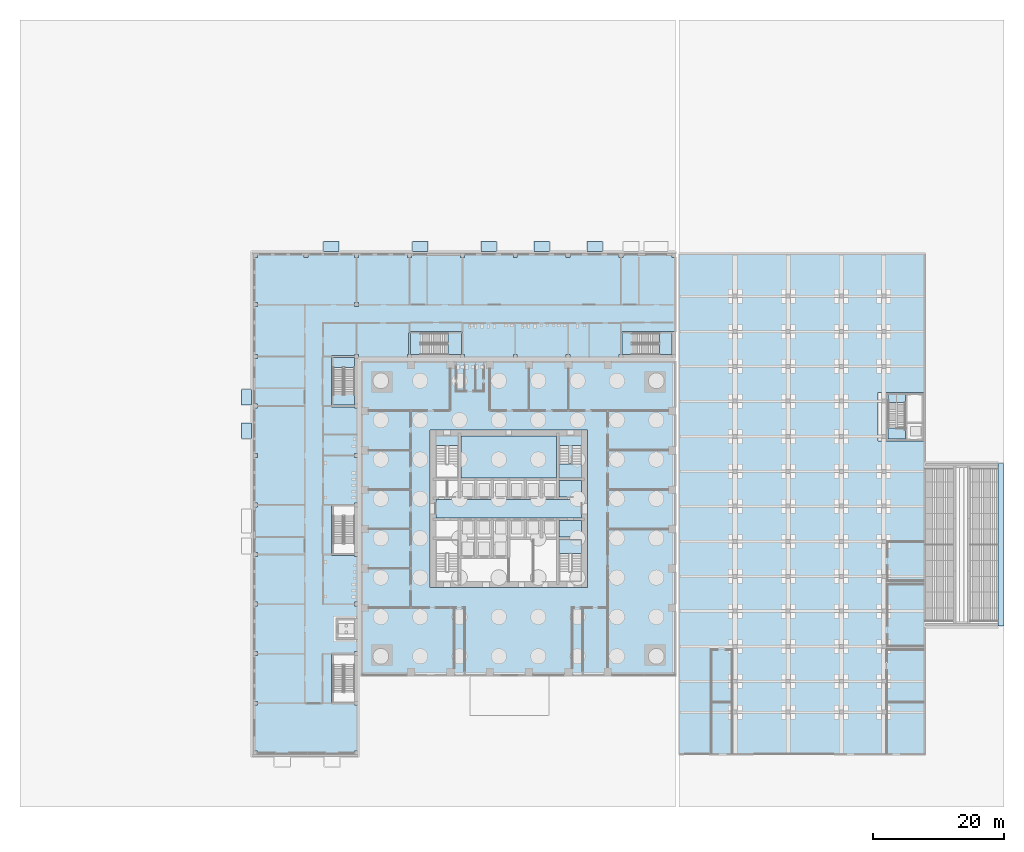
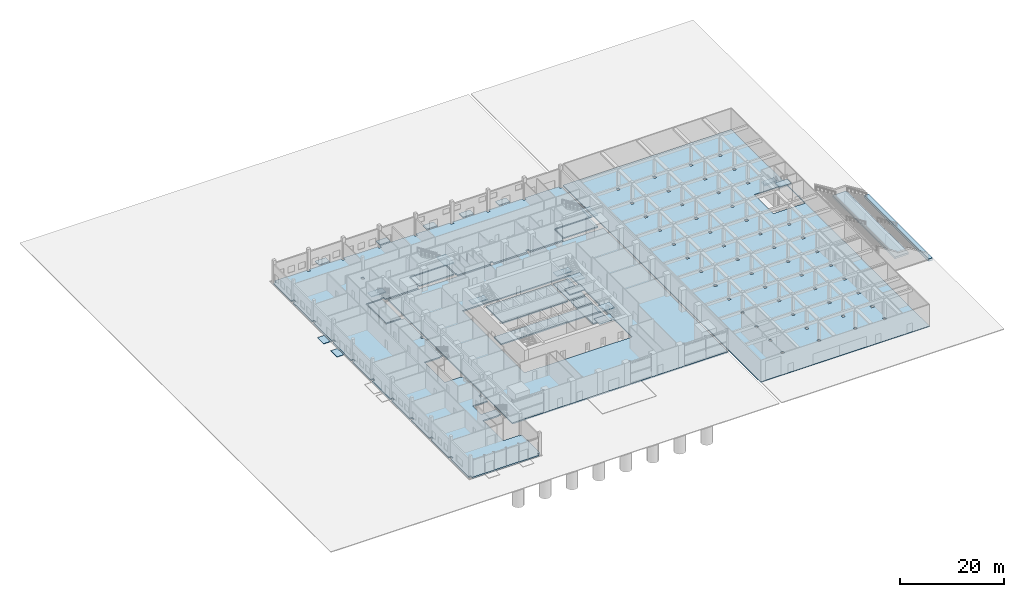
# One storey, part 8 of 33: 31 slabs, 7 elements without a shape of their own.
"""IFC4 building model written with IfcOpenShell, lengths in metres."""

import ifcopenshell
import ifcopenshell.guid

model = None  # the IFC model being written
_history = None  # IfcOwnerHistory: only IFC2X3 demands one
_inside = {}  # id of a spatial element -> (the spatial element, [elements in it])
_under = {}  # id of a project, library or spatial element -> (it, [spatial elements below it])
_declared = {}  # id of a project -> (the project, [libraries it declares])
_typed = {}  # id of a type object -> (the type object, [elements of that type])
_made_of = {}  # id of a material, layer set ... -> (it, [elements and type objects made of it])


def new_model(schema):
    """Start an empty IFC model of exactly this schema.

    Asked for "IFC4X3", IfcOpenShell would pick the latest addendum, in which some entities
    have other attributes; the version numbers below select the first issue.
    IFC2X3 requires an IfcOwnerHistory on every rooted entity: one is made here for all.
    """
    global model, _history
    if schema == "IFC4X3":
        model = ifcopenshell.file(schema_version=(4, 3, 0, 0))
    else:
        model = ifcopenshell.file(schema=schema)
    _inside.clear()
    _under.clear()
    _declared.clear()
    _typed.clear()
    _made_of.clear()
    _history = None
    if model.schema == "IFC2X3":
        org = make("IfcOrganization", Name="unknown")
        user = make(
            "IfcPersonAndOrganization",
            ThePerson=make("IfcPerson", FamilyName="unknown"),
            TheOrganization=org,
        )
        app = make(
            "IfcApplication",
            ApplicationDeveloper=org,
            Version="unknown",
            ApplicationFullName="unknown",
            ApplicationIdentifier="unknown",
        )
        _history = make(
            "IfcOwnerHistory",
            OwningUser=user,
            OwningApplication=app,
            ChangeAction="ADDED",
            CreationDate=0,
        )
    return model


def make(cls, **values):
    """One entity of the class cls with the attributes given. An attribute that is None is left unset."""
    return model.create_entity(
        cls, **{name: value for name, value in values.items() if value is not None}
    )


def rooted(cls, **values):
    """An entity with a GlobalId (a new one), such as an element, a storey or a relation."""
    return make(cls, GlobalId=ifcopenshell.guid.new(), OwnerHistory=_history, **values)


def si_unit(unit_type, name, prefix=None):
    """IfcSIUnit, for example si_unit("LENGTHUNIT", "METRE", prefix="MILLI")."""
    return make("IfcSIUnit", UnitType=unit_type, Prefix=prefix, Name=name)


def assignment(units):
    """IfcUnitAssignment: the units of a project."""
    return None if units is None else make("IfcUnitAssignment", Units=units)


def point(xyz):
    """IfcCartesianPoint."""
    return None if xyz is None else make("IfcCartesianPoint", Coordinates=xyz)


def direction(xyz):
    """IfcDirection."""
    return None if xyz is None else make("IfcDirection", DirectionRatios=xyz)


def frame(location, z_axis=None, x_axis=None):
    """IfcAxis2Placement3D, a coordinate frame: its origin and axes. An axis left out is left unset."""
    return make(
        "IfcAxis2Placement3D",
        Location=point(location),
        Axis=direction(z_axis),
        RefDirection=direction(x_axis),
    )


def origin():
    """The frame at (0, 0, 0) with its axes left unset."""
    return frame((0.0, 0.0, 0.0))


def place(relative_to, where):
    """IfcLocalPlacement: puts the frame where relative to a parent placement (None: the world)."""
    return make(
        "IfcLocalPlacement", PlacementRelTo=relative_to, RelativePlacement=where
    )


def context(
    kind, dimensions, precision=None, world=None, true_north=None, identifier=None
):
    """IfcGeometricRepresentationContext, for example the 3D "Model" context."""
    return make(
        "IfcGeometricRepresentationContext",
        ContextIdentifier=identifier,
        ContextType=kind,
        CoordinateSpaceDimension=dimensions,
        Precision=precision,
        WorldCoordinateSystem=world,
        TrueNorth=true_north,
    )


def subcontext(parent, identifier, kind, view, scale=None):
    """IfcGeometricRepresentationSubContext, for example "Body" below "Model"."""
    return make(
        "IfcGeometricRepresentationSubContext",
        ContextIdentifier=identifier,
        ContextType=kind,
        ParentContext=parent,
        TargetScale=scale,
        TargetView=view,
    )


def project(units=None, contexts=None):
    """IfcProject with its units and contexts."""
    return rooted(
        "IfcProject",
        Name="project",
        RepresentationContexts=contexts,
        UnitsInContext=assignment(units),
    )


def spatial(cls, under=None, at=None, **own):
    """A site, building, storey or space (cls), placed at a placement, below another one or the project."""
    s = rooted(cls, ObjectPlacement=at, **own)
    if under is not None:
        _under.setdefault(under.id(), (under, []))[1].append(s)
    return s


def polyline(points):
    """IfcPolyline through the points."""
    return make("IfcPolyline", Points=[point(p) for p in points])


def outline(outer, holes=None, kind="AREA"):
    """IfcArbitraryClosedProfileDef: a profile drawn as a closed curve; with holes, ...WithVoids."""
    if holes is None:
        return make("IfcArbitraryClosedProfileDef", ProfileType=kind, OuterCurve=outer)
    return make(
        "IfcArbitraryProfileDefWithVoids",
        ProfileType=kind,
        OuterCurve=outer,
        InnerCurves=holes,
    )


def extrude(swept, where, along, depth):
    """IfcExtrudedAreaSolid: the profile swept, set in the frame where, extruded along a direction by depth."""
    return make(
        "IfcExtrudedAreaSolid",
        SweptArea=swept,
        Position=where,
        ExtrudedDirection=direction(along),
        Depth=depth,
    )


def shape(context_of_items, identifier, shape_type, items):
    """IfcShapeRepresentation: the items that make up one representation, for example the "Body"."""
    return make(
        "IfcShapeRepresentation",
        ContextOfItems=context_of_items,
        RepresentationIdentifier=identifier,
        RepresentationType=shape_type,
        Items=items,
    )


def material(Name=None, Category=None):
    """IfcMaterial."""
    return make("IfcMaterial", Name=Name, Category=Category)


def layer(
    of_material, thickness, ventilated=None, Name=None, Category=None, Priority=None
):
    """IfcMaterialLayer: one layer of a wall or slab, of a material (None: an air gap)."""
    return make(
        "IfcMaterialLayer",
        Material=of_material,
        LayerThickness=thickness,
        IsVentilated=ventilated,
        Name=Name,
        Category=Category,
        Priority=Priority,
    )


def layer_set(layers, Name=None):
    """IfcMaterialLayerSet."""
    return make("IfcMaterialLayerSet", MaterialLayers=layers, LayerSetName=Name)


def made_of(thing, what):
    """Note that an element or type object is made of a material, layer set ...; save() writes the relation."""
    if what is not None:
        _made_of.setdefault(what.id(), (what, []))[1].append(thing)
    return thing


def type_object(cls, material=None, **own):
    """A type object (cls), such as IfcWallType, which elements share."""
    return made_of(rooted(cls, **own), material)


def element(
    cls,
    number,
    at=None,
    inside=None,
    cuts=None,
    type_object=None,
    material=None,
    context=None,
    identifier="Body",
    shape_type=None,
    held_by="IfcProductDefinitionShape",
    body=None,
    shapes=None,
    **own,
):
    """One element of the class cls, such as IfcWall. Its Tag is "e" and its number.

    at: its placement. inside: the storey or other place that contains it. cuts: it is an
    opening in that element (IfcRelVoidsElement). A single representation is given by context,
    identifier, shape_type and body (its items); several are given by shapes. held_by: the class
    of the entity that holds the representations. save() writes the other relations.
    """
    e = rooted(cls, Tag="e%d" % number, ObjectPlacement=at, **own)
    if body is not None:
        shapes = [shape(context, identifier, shape_type, body)]
    if shapes is not None:
        e.Representation = make(held_by, Representations=shapes)
    if inside is not None:
        _inside.setdefault(inside.id(), (inside, []))[1].append(e)
    if cuts is not None:
        rooted(
            "IfcRelVoidsElement", RelatingBuildingElement=cuts, RelatedOpeningElement=e
        )
    if type_object is not None:
        _typed.setdefault(type_object.id(), (type_object, []))[1].append(e)
    return made_of(e, material)


def aggregate(whole, parts):
    """IfcRelAggregates: a whole, such as a stair, and the parts it consists of."""
    return rooted("IfcRelAggregates", RelatingObject=whole, RelatedObjects=parts)


def save(model, path):
    """Write the relations noted so far, then the file.

    IfcRelAggregates (storeys below a building ...), IfcRelContainedInSpatialStructure (elements
    in a storey), IfcRelDefinesByType, IfcRelAssociatesMaterial and IfcRelDeclares: one each for
    every whole, place, type object, material and project.
    """
    for whole, parts in _under.values():
        aggregate(whole, parts)
    for where, things in _inside.values():
        rooted(
            "IfcRelContainedInSpatialStructure",
            RelatedElements=things,
            RelatingStructure=where,
        )
    for kind, things in _typed.values():
        rooted("IfcRelDefinesByType", RelatedObjects=things, RelatingType=kind)
    for what, things in _made_of.values():
        rooted("IfcRelAssociatesMaterial", RelatedObjects=things, RelatingMaterial=what)
    for by, libraries in _declared.values():
        rooted("IfcRelDeclares", RelatingContext=by, RelatedDefinitions=libraries)
    model.write(path)


model = new_model("IFC4")

# Units and contexts
model_context = context("Model", 3, precision=1e-05, world=origin(), true_north=direction((0.0, 1.0)))
body_context = subcontext(model_context, "Body", "Model", "MODEL_VIEW")
ifc_project = project(units=[si_unit("LENGTHUNIT", "METRE"), si_unit("AREAUNIT", "SQUARE_METRE"), si_unit("VOLUMEUNIT", "CUBIC_METRE"), si_unit("PLANEANGLEUNIT", "RADIAN"), si_unit("MASSUNIT", "GRAM", prefix="KILO")], contexts=[model_context])

# Site, building, storey
site_placement = place(None, origin())
site = spatial("IfcSite", under=ifc_project, at=site_placement, CompositionType="ELEMENT")
building_placement = place(site_placement, origin())
building = spatial("IfcBuilding", under=site, at=building_placement, Name="Amberfall Residences", CompositionType="ELEMENT")
storey_placement = place(building_placement, origin())
storey = spatial("IfcBuildingStorey", under=building, at=storey_placement, Name="L00", CompositionType="ELEMENT", Elevation=0.0)

# Slab
ifc_material_1 = material(Name="Reinforced concrete C35", Category="concrete")
ifc_layer_1 = layer(ifc_material_1, 0.199951171875)
ifc_layer_set_1 = layer_set([ifc_layer_1], Name="Car park ground slab 200")
slab_type_1 = type_object("IfcSlabType", Name="Car park ground slab 200", PredefinedType="BASESLAB", material=ifc_layer_set_1)
slab_1_placement = place(storey_placement, frame((0.0, 0.0, -0.199951171875)))
element("IfcSlab", 1, at=slab_1_placement, inside=storey, type_object=slab_type_1, Name="Car park ground slab 200 L00 001", PredefinedType="BASESLAB", context=body_context, shape_type="SweptSolid", body=[
    extrude(outline(polyline([(100.39990234375, 8.0), (138.0, 8.0), (138.0, 84.39990234375), (100.39990234375, 84.39990234375), (100.39990234375, 8.0)]), holes=[polyline([(130.800048828125, 55.800048828125), (137.89990234375, 55.800048828125), (137.89990234375, 63.199951171875), (130.800048828125, 63.199951171875), (130.800048828125, 55.800048828125)]), polyline([(108.699951171875, 14.199951171875), (109.300048828125, 14.199951171875), (109.300048828125, 14.800048828125), (108.699951171875, 14.800048828125), (108.699951171875, 14.199951171875)]), polyline([(108.699951171875, 18.89990234375), (109.300048828125, 18.89990234375), (109.300048828125, 19.5), (108.699951171875, 19.5), (108.699951171875, 18.89990234375)]), polyline([(108.699951171875, 24.199951171875), (109.300048828125, 24.199951171875), (109.300048828125, 24.800048828125), (108.699951171875, 24.800048828125), (108.699951171875, 24.199951171875)]), polyline([(108.699951171875, 29.60009765625), (109.300048828125, 29.60009765625), (109.300048828125, 30.199951171875), (108.699951171875, 30.199951171875), (108.699951171875, 29.60009765625)]), polyline([(108.699951171875, 34.89990234375), (109.300048828125, 34.89990234375), (109.300048828125, 35.5), (108.699951171875, 35.5), (108.699951171875, 34.89990234375)]), polyline([(108.699951171875, 40.199951171875), (109.300048828125, 40.199951171875), (109.300048828125, 40.800048828125), (108.699951171875, 40.800048828125), (108.699951171875, 40.199951171875)]), polyline([(108.699951171875, 45.60009765625), (109.300048828125, 45.60009765625), (109.300048828125, 46.199951171875), (108.699951171875, 46.199951171875), (108.699951171875, 45.60009765625)]), polyline([(108.699951171875, 50.89990234375), (109.300048828125, 50.89990234375), (109.300048828125, 51.5), (108.699951171875, 51.5), (108.699951171875, 50.89990234375)]), polyline([(108.699951171875, 56.199951171875), (109.300048828125, 56.199951171875), (109.300048828125, 56.800048828125), (108.699951171875, 56.800048828125), (108.699951171875, 56.199951171875)]), polyline([(108.699951171875, 61.60009765625), (109.300048828125, 61.60009765625), (109.300048828125, 62.199951171875), (108.699951171875, 62.199951171875), (108.699951171875, 61.60009765625)]), polyline([(108.699951171875, 66.89990234375), (109.300048828125, 66.89990234375), (109.300048828125, 67.5), (108.699951171875, 67.5), (108.699951171875, 66.89990234375)]), polyline([(108.699951171875, 72.199951171875), (109.300048828125, 72.199951171875), (109.300048828125, 72.800048828125), (108.699951171875, 72.800048828125), (108.699951171875, 72.199951171875)]), polyline([(108.699951171875, 77.60009765625), (109.300048828125, 77.60009765625), (109.300048828125, 78.199951171875), (108.699951171875, 78.199951171875), (108.699951171875, 77.60009765625)]), polyline([(116.800048828125, 14.199951171875), (117.39990234375, 14.199951171875), (117.39990234375, 14.800048828125), (116.800048828125, 14.800048828125), (116.800048828125, 14.199951171875)]), polyline([(116.800048828125, 18.89990234375), (117.39990234375, 18.89990234375), (117.39990234375, 19.5), (116.800048828125, 19.5), (116.800048828125, 18.89990234375)]), polyline([(116.800048828125, 24.199951171875), (117.39990234375, 24.199951171875), (117.39990234375, 24.800048828125), (116.800048828125, 24.800048828125), (116.800048828125, 24.199951171875)]), polyline([(116.800048828125, 29.60009765625), (117.39990234375, 29.60009765625), (117.39990234375, 30.199951171875), (116.800048828125, 30.199951171875), (116.800048828125, 29.60009765625)]), polyline([(116.800048828125, 34.89990234375), (117.39990234375, 34.89990234375), (117.39990234375, 35.5), (116.800048828125, 35.5), (116.800048828125, 34.89990234375)]), polyline([(116.800048828125, 40.199951171875), (117.39990234375, 40.199951171875), (117.39990234375, 40.800048828125), (116.800048828125, 40.800048828125), (116.800048828125, 40.199951171875)]), polyline([(116.800048828125, 45.60009765625), (117.39990234375, 45.60009765625), (117.39990234375, 46.199951171875), (116.800048828125, 46.199951171875), (116.800048828125, 45.60009765625)]), polyline([(116.800048828125, 50.89990234375), (117.39990234375, 50.89990234375), (117.39990234375, 51.5), (116.800048828125, 51.5), (116.800048828125, 50.89990234375)]), polyline([(116.800048828125, 56.199951171875), (117.39990234375, 56.199951171875), (117.39990234375, 56.800048828125), (116.800048828125, 56.800048828125), (116.800048828125, 56.199951171875)]), polyline([(116.800048828125, 61.60009765625), (117.39990234375, 61.60009765625), (117.39990234375, 62.199951171875), (116.800048828125, 62.199951171875), (116.800048828125, 61.60009765625)]), polyline([(116.800048828125, 66.89990234375), (117.39990234375, 66.89990234375), (117.39990234375, 67.5), (116.800048828125, 67.5), (116.800048828125, 66.89990234375)]), polyline([(116.800048828125, 72.199951171875), (117.39990234375, 72.199951171875), (117.39990234375, 72.800048828125), (116.800048828125, 72.800048828125), (116.800048828125, 72.199951171875)]), polyline([(116.800048828125, 77.60009765625), (117.39990234375, 77.60009765625), (117.39990234375, 78.199951171875), (116.800048828125, 78.199951171875), (116.800048828125, 77.60009765625)]), polyline([(124.89990234375, 14.199951171875), (125.5, 14.199951171875), (125.5, 14.800048828125), (124.89990234375, 14.800048828125), (124.89990234375, 14.199951171875)]), polyline([(124.89990234375, 18.89990234375), (125.5, 18.89990234375), (125.5, 19.5), (124.89990234375, 19.5), (124.89990234375, 18.89990234375)]), polyline([(124.89990234375, 24.199951171875), (125.5, 24.199951171875), (125.5, 24.800048828125), (124.89990234375, 24.800048828125), (124.89990234375, 24.199951171875)]), polyline([(124.89990234375, 29.60009765625), (125.5, 29.60009765625), (125.5, 30.199951171875), (124.89990234375, 30.199951171875), (124.89990234375, 29.60009765625)]), polyline([(124.89990234375, 34.89990234375), (125.5, 34.89990234375), (125.5, 35.5), (124.89990234375, 35.5), (124.89990234375, 34.89990234375)]), polyline([(124.89990234375, 40.199951171875), (125.5, 40.199951171875), (125.5, 40.800048828125), (124.89990234375, 40.800048828125), (124.89990234375, 40.199951171875)]), polyline([(124.89990234375, 45.60009765625), (125.5, 45.60009765625), (125.5, 46.199951171875), (124.89990234375, 46.199951171875), (124.89990234375, 45.60009765625)]), polyline([(124.89990234375, 50.89990234375), (125.5, 50.89990234375), (125.5, 51.5), (124.89990234375, 51.5), (124.89990234375, 50.89990234375)]), polyline([(124.89990234375, 56.199951171875), (125.5, 56.199951171875), (125.5, 56.800048828125), (124.89990234375, 56.800048828125), (124.89990234375, 56.199951171875)]), polyline([(124.89990234375, 61.60009765625), (125.5, 61.60009765625), (125.5, 62.199951171875), (124.89990234375, 62.199951171875), (124.89990234375, 61.60009765625)]), polyline([(124.89990234375, 66.89990234375), (125.5, 66.89990234375), (125.5, 67.5), (124.89990234375, 67.5), (124.89990234375, 66.89990234375)]), polyline([(124.89990234375, 72.199951171875), (125.5, 72.199951171875), (125.5, 72.800048828125), (124.89990234375, 72.800048828125), (124.89990234375, 72.199951171875)]), polyline([(124.89990234375, 77.60009765625), (125.5, 77.60009765625), (125.5, 78.199951171875), (124.89990234375, 78.199951171875), (124.89990234375, 77.60009765625)]), polyline([(131.39990234375, 14.199951171875), (132.0, 14.199951171875), (132.0, 14.800048828125), (131.39990234375, 14.800048828125), (131.39990234375, 14.199951171875)]), polyline([(131.39990234375, 18.89990234375), (132.0, 18.89990234375), (132.0, 19.5), (131.39990234375, 19.5), (131.39990234375, 18.89990234375)]), polyline([(131.39990234375, 24.199951171875), (132.0, 24.199951171875), (132.0, 24.800048828125), (131.39990234375, 24.800048828125), (131.39990234375, 24.199951171875)]), polyline([(131.39990234375, 29.60009765625), (132.0, 29.60009765625), (132.0, 30.199951171875), (131.39990234375, 30.199951171875), (131.39990234375, 29.60009765625)]), polyline([(131.39990234375, 34.89990234375), (132.0, 34.89990234375), (132.0, 35.5), (131.39990234375, 35.5), (131.39990234375, 34.89990234375)]), polyline([(131.39990234375, 40.199951171875), (132.0, 40.199951171875), (132.0, 40.800048828125), (131.39990234375, 40.800048828125), (131.39990234375, 40.199951171875)]), polyline([(131.39990234375, 45.60009765625), (132.0, 45.60009765625), (132.0, 46.199951171875), (131.39990234375, 46.199951171875), (131.39990234375, 45.60009765625)]), polyline([(131.39990234375, 50.89990234375), (132.0, 50.89990234375), (132.0, 51.5), (131.39990234375, 51.5), (131.39990234375, 50.89990234375)]), polyline([(131.39990234375, 66.89990234375), (132.0, 66.89990234375), (132.0, 67.5), (131.39990234375, 67.5), (131.39990234375, 66.89990234375)]), polyline([(131.39990234375, 72.199951171875), (132.0, 72.199951171875), (132.0, 72.800048828125), (131.39990234375, 72.800048828125), (131.39990234375, 72.199951171875)]), polyline([(131.39990234375, 77.60009765625), (132.0, 77.60009765625), (132.0, 78.199951171875), (131.39990234375, 78.199951171875), (131.39990234375, 77.60009765625)])]), origin(), (0.0, 0.0, 1.0), 0.199951171875),
])

# Stair, slabs
ifc_material_2 = material(Name="Reinforced concrete C40", Category="concrete")
stair_type_1 = type_object("IfcStairType", Name="Core stair 1200", PredefinedType="HALF_TURN_STAIR", material=ifc_material_2)
stair_1_placement = place(storey_placement, origin())
stair_1 = element("IfcStair", 2, at=stair_1_placement, inside=storey, type_object=stair_type_1, Name="Garden core stair", PredefinedType="HALF_TURN_STAIR")
ifc_layer_2 = layer(ifc_material_2, 0.419921875)
ifc_layer_set_2 = layer_set([ifc_layer_2], Name="Core stair landing 420")
slab_type_2 = type_object("IfcSlabType", Name="Core stair landing 420", PredefinedType="LANDING", material=ifc_layer_set_2)
slab_2_placement = place(storey_placement, frame((0.0, 0.0, 2.330078125)))
slab_2 = element("IfcSlab", 3, at=slab_2_placement, type_object=slab_type_2, Name="GST2 landing 1", PredefinedType="LANDING", context=body_context, shape_type="SweptSolid", body=[
    extrude(outline(polyline([(132.300048828125, 61.699951171875), (135.0, 61.699951171875), (135.0, 62.89990234375), (132.300048828125, 62.89990234375), (132.300048828125, 61.699951171875)])), origin(), (0.0, 0.0, 1.0), 0.419921875),
])
slab_3_placement = place(storey_placement, frame((0.0, 0.0, 5.080078125)))
slab_3 = element("IfcSlab", 4, at=slab_3_placement, type_object=slab_type_2, Name="GST2 landing 2", PredefinedType="LANDING", context=body_context, shape_type="SweptSolid", body=[
    extrude(outline(polyline([(132.300048828125, 56.10009765625), (135.0, 56.10009765625), (135.0, 57.800048828125), (132.300048828125, 57.800048828125), (132.300048828125, 56.10009765625)])), origin(), (0.0, 0.0, 1.0), 0.419921875),
])
aggregate(stair_1, [slab_2, slab_3])

# Slabs
ifc_layer_3 = layer(ifc_material_2, 0.419921875)
ifc_layer_set_3 = layer_set([ifc_layer_3], Name="Deck stair terrace slab 420")
slab_type_3 = type_object("IfcSlabType", Name="Deck stair terrace slab 420", PredefinedType="FLOOR", material=ifc_layer_set_3)
slab_4_placement = place(storey_placement, frame((0.0, 0.0, 2.330078125)))
element("IfcSlab", 5, at=slab_4_placement, inside=storey, type_object=slab_type_3, Name="Deck stair terrace", PredefinedType="FLOOR", context=body_context, shape_type="SweptSolid", body=[
    extrude(outline(polyline([(144.89990234375, 28.0), (141.800048828125, 28.0), (141.800048828125, 52.0), (144.89990234375, 52.0), (144.89990234375, 28.0)])), origin(), (0.0, 0.0, 1.0), 0.419921875),
])
ifc_material_3 = material(Name="Concrete C45", Category="concrete")
ifc_layer_4 = layer(ifc_material_3, 0.300048828125)
ifc_layer_set_4 = layer_set([ifc_layer_4], Name="Ground slab 300 C45")
slab_type_4 = type_object("IfcSlabType", Name="Ground slab 300 C45", PredefinedType="BASESLAB", material=ifc_layer_set_4)
slab_5_placement = place(storey_placement, frame((0.0, 0.0, -0.300048828125)))
element("IfcSlab", 6, at=slab_5_placement, inside=storey, type_object=slab_type_4, Name="Floor slab S1 L00 1", PredefinedType="BASESLAB", context=body_context, shape_type="SweptSolid", body=[
    extrude(outline(polyline([(100.0, 68.0), (100.0, 20.0), (52.0, 20.0), (52.0, 68.0), (100.0, 68.0)]), holes=[polyline([(62.5, 33.5), (63.39990234375, 33.5), (85.60009765625, 33.5), (86.5, 33.5), (86.5, 34.39990234375), (86.5, 56.60009765625), (86.5, 57.5), (85.60009765625, 57.5), (63.39990234375, 57.5), (62.5, 57.5), (62.5, 56.60009765625), (62.5, 34.39990234375), (62.5, 33.5)])]), origin(), (0.0, 0.0, 1.0), 0.300048828125),
])
slab_6_placement = place(storey_placement, frame((0.0, 0.0, -0.300048828125)))
element("IfcSlab", 7, at=slab_6_placement, inside=storey, type_object=slab_type_4, Name="Floor slab S1 L00 6", PredefinedType="BASESLAB", context=body_context, shape_type="SweptSolid", body=[
    extrude(outline(polyline([(82.199951171875, 41.199951171875), (82.199951171875, 43.699951171875), (85.60009765625, 43.699951171875), (85.60009765625, 41.199951171875), (82.199951171875, 41.199951171875)])), origin(), (0.0, 0.0, 1.0), 0.300048828125),
])
slab_7_placement = place(storey_placement, frame((0.0, 0.0, -0.300048828125)))
element("IfcSlab", 8, at=slab_7_placement, inside=storey, type_object=slab_type_4, Name="Floor slab S1 L00 7", PredefinedType="BASESLAB", context=body_context, shape_type="SweptSolid", body=[
    extrude(outline(polyline([(85.60009765625, 46.89990234375), (85.60009765625, 44.10009765625), (63.39990234375, 44.10009765625), (63.39990234375, 46.89990234375), (85.60009765625, 46.89990234375)])), origin(), (0.0, 0.0, 1.0), 0.300048828125),
])
slab_8_placement = place(storey_placement, frame((0.0, 0.0, -0.300048828125)))
element("IfcSlab", 9, at=slab_8_placement, inside=storey, type_object=slab_type_4, Name="Floor slab S1 L00 9", PredefinedType="BASESLAB", context=body_context, shape_type="SweptSolid", body=[
    extrude(outline(polyline([(85.60009765625, 47.300048828125), (82.199951171875, 47.300048828125), (82.199951171875, 49.800048828125), (85.60009765625, 49.800048828125), (85.60009765625, 47.300048828125)])), origin(), (0.0, 0.0, 1.0), 0.300048828125),
])
slab_9_placement = place(storey_placement, frame((0.0, 0.0, -0.300048828125)))
element("IfcSlab", 10, at=slab_9_placement, inside=storey, type_object=slab_type_4, Name="Floor slab S1 L00 11", PredefinedType="BASESLAB", context=body_context, shape_type="SweptSolid", body=[
    extrude(outline(polyline([(81.800048828125, 56.60009765625), (81.800048828125, 50.199951171875), (67.199951171875, 50.199951171875), (67.199951171875, 56.60009765625), (81.800048828125, 56.60009765625)])), origin(), (0.0, 0.0, 1.0), 0.300048828125),
])
slab_10_placement = place(storey_placement, frame((0.0, 0.0, -0.300048828125)))
element("IfcSlab", 11, at=slab_10_placement, inside=storey, type_object=slab_type_4, Name="Floor slab S1 L00 12", PredefinedType="BASESLAB", context=body_context, shape_type="SweptSolid", body=[
    extrude(outline(polyline([(85.60009765625, 56.60009765625), (85.60009765625, 50.199951171875), (82.199951171875, 50.199951171875), (82.199951171875, 56.60009765625), (85.60009765625, 56.60009765625)])), origin(), (0.0, 0.0, 1.0), 0.300048828125),
])
ifc_material_4 = material(Name="Concrete C30", Category="concrete")
ifc_layer_5 = layer(ifc_material_4, 0.199951171875)
ifc_layer_set_5 = layer_set([ifc_layer_5], Name="School door landing 200")
slab_type_5 = type_object("IfcSlabType", Name="School door landing 200", PredefinedType="BASESLAB", material=ifc_layer_set_5)
slab_11_placement = place(storey_placement, frame((0.0, 0.0, -0.199951171875)))
element("IfcSlab", 12, at=slab_11_placement, inside=storey, type_object=slab_type_5, Name="School door landing", PredefinedType="BASESLAB", context=body_context, shape_type="SweptSolid", body=[
    extrude(outline(polyline([(46.25, 84.699951171875), (48.64990234375, 84.699951171875), (48.64990234375, 86.199951171875), (46.25, 86.199951171875), (46.25, 84.699951171875)])), origin(), (0.0, 0.0, 1.0), 0.199951171875),
])
slab_12_placement = place(storey_placement, frame((0.0, 0.0, -0.199951171875)))
element("IfcSlab", 13, at=slab_12_placement, inside=storey, type_object=slab_type_5, Name="School door landing", PredefinedType="BASESLAB", context=body_context, shape_type="SweptSolid", body=[
    extrude(outline(polyline([(59.81689453125, 84.699951171875), (62.217041015625, 84.699951171875), (62.217041015625, 86.199951171875), (59.81689453125, 86.199951171875), (59.81689453125, 84.699951171875)])), origin(), (0.0, 0.0, 1.0), 0.199951171875),
])
slab_13_placement = place(storey_placement, frame((0.0, 0.0, -0.199951171875)))
element("IfcSlab", 14, at=slab_13_placement, inside=storey, type_object=slab_type_5, Name="School door landing", PredefinedType="BASESLAB", context=body_context, shape_type="SweptSolid", body=[
    extrude(outline(polyline([(70.2666015625, 84.699951171875), (72.66650390625, 84.699951171875), (72.66650390625, 86.199951171875), (70.2666015625, 86.199951171875), (70.2666015625, 84.699951171875)])), origin(), (0.0, 0.0, 1.0), 0.199951171875),
])
slab_14_placement = place(storey_placement, frame((0.0, 0.0, -0.199951171875)))
element("IfcSlab", 15, at=slab_14_placement, inside=storey, type_object=slab_type_5, Name="School door landing", PredefinedType="BASESLAB", context=body_context, shape_type="SweptSolid", body=[
    extrude(outline(polyline([(78.33349609375, 84.699951171875), (80.7333984375, 84.699951171875), (80.7333984375, 86.199951171875), (78.33349609375, 86.199951171875), (78.33349609375, 84.699951171875)])), origin(), (0.0, 0.0, 1.0), 0.199951171875),
])
slab_15_placement = place(storey_placement, frame((0.0, 0.0, -0.199951171875)))
element("IfcSlab", 16, at=slab_15_placement, inside=storey, type_object=slab_type_5, Name="School door landing", PredefinedType="BASESLAB", context=body_context, shape_type="SweptSolid", body=[
    extrude(outline(polyline([(86.39990234375, 84.699951171875), (88.800048828125, 84.699951171875), (88.800048828125, 86.199951171875), (86.39990234375, 86.199951171875), (86.39990234375, 84.699951171875)])), origin(), (0.0, 0.0, 1.0), 0.199951171875),
])
slab_16_placement = place(storey_placement, frame((0.0, 0.0, -0.199951171875)))
element("IfcSlab", 17, at=slab_16_placement, inside=storey, type_object=slab_type_5, Name="School door landing", PredefinedType="BASESLAB", context=body_context, shape_type="SweptSolid", body=[
    extrude(outline(polyline([(33.800048828125, 56.175048828125), (35.300048828125, 56.175048828125), (35.300048828125, 58.574951171875), (33.800048828125, 58.574951171875), (33.800048828125, 56.175048828125)])), origin(), (0.0, 0.0, 1.0), 0.199951171875),
])
slab_17_placement = place(storey_placement, frame((0.0, 0.0, -0.199951171875)))
element("IfcSlab", 18, at=slab_17_placement, inside=storey, type_object=slab_type_5, Name="School door landing", PredefinedType="BASESLAB", context=body_context, shape_type="SweptSolid", body=[
    extrude(outline(polyline([(33.800048828125, 61.300048828125), (35.300048828125, 61.300048828125), (35.300048828125, 63.699951171875), (33.800048828125, 63.699951171875), (33.800048828125, 61.300048828125)])), origin(), (0.0, 0.0, 1.0), 0.199951171875),
])
ifc_layer_6 = layer(ifc_material_4, 0.300048828125)
ifc_layer_set_6 = layer_set([ifc_layer_6], Name="School ground slab 300 C30")
slab_type_6 = type_object("IfcSlabType", Name="School ground slab 300 C30", PredefinedType="BASESLAB", material=ifc_layer_set_6)
slab_18_placement = place(storey_placement, frame((0.0, 0.0, -0.300048828125)))
element("IfcSlab", 19, at=slab_18_placement, inside=storey, type_object=slab_type_6, Name="School ground slab", PredefinedType="BASESLAB", context=body_context, shape_type="SweptSolid", body=[
    extrude(outline(polyline([(36.199951171875, 8.60009765625), (36.199951171875, 8.0), (51.0, 8.0), (51.0, 8.60009765625), (51.60009765625, 8.60009765625), (51.60009765625, 15.550048828125), (51.0, 15.550048828125), (51.0, 15.72509765625), (47.5, 15.72509765625), (47.5, 15.97509765625), (47.5, 23.27490234375), (47.5, 23.52490234375), (51.0, 23.52490234375), (51.0, 23.699951171875), (51.60009765625, 23.699951171875), (51.60009765625, 25.550048828125), (51.0, 25.550048828125), (48.199951171875, 25.550048828125), (48.199951171875, 25.675048828125), (48.199951171875, 25.800048828125), (48.199951171875, 28.550048828125), (48.199951171875, 28.675048828125), (48.199951171875, 28.800048828125), (51.0, 28.800048828125), (51.60009765625, 28.800048828125), (51.60009765625, 30.64990234375), (51.0, 30.64990234375), (51.0, 31.25), (51.60009765625, 31.25), (51.60009765625, 38.199951171875), (51.0, 38.199951171875), (51.0, 38.375), (47.5, 38.375), (47.5, 38.625), (47.5, 45.925048828125), (47.5, 46.175048828125), (51.0, 46.175048828125), (51.0, 46.35009765625), (51.60009765625, 46.35009765625), (51.60009765625, 53.300048828125), (51.0, 53.300048828125), (51.0, 53.89990234375), (51.60009765625, 53.89990234375), (51.60009765625, 60.85009765625), (51.0, 60.85009765625), (51.0, 61.02490234375), (47.5, 61.02490234375), (47.5, 61.27490234375), (47.5, 68.574951171875), (47.5, 68.824951171875), (51.0, 68.824951171875), (51.0, 69.0), (51.60009765625, 69.0), (51.60009765625, 68.39990234375), (59.06689453125, 68.39990234375), (59.06689453125, 69.0), (59.241943359375, 69.0), (59.241943359375, 72.25), (59.491943359375, 72.25), (59.491943359375, 72.5), (67.30810546875, 72.5), (67.30810546875, 72.25), (67.55810546875, 72.25), (67.55810546875, 69.0), (67.73291015625, 69.0), (67.73291015625, 68.39990234375), (75.199951171875, 68.39990234375), (75.199951171875, 69.0), (75.800048828125, 69.0), (75.800048828125, 68.39990234375), (83.26708984375, 68.39990234375), (83.26708984375, 69.0), (83.866943359375, 69.0), (83.866943359375, 68.39990234375), (91.3330078125, 68.39990234375), (91.3330078125, 69.0), (91.508056640625, 69.0), (91.508056640625, 72.25), (91.758056640625, 72.25), (91.758056640625, 72.5), (99.39990234375, 72.5), (100.0, 72.5), (100.0, 83.800048828125), (99.39990234375, 83.800048828125), (99.39990234375, 84.39990234375), (91.93310546875, 84.39990234375), (91.93310546875, 83.800048828125), (91.3330078125, 83.800048828125), (91.3330078125, 84.39990234375), (83.866943359375, 84.39990234375), (83.866943359375, 83.800048828125), (83.26708984375, 83.800048828125), (83.26708984375, 84.39990234375), (75.800048828125, 84.39990234375), (75.800048828125, 83.800048828125), (75.199951171875, 83.800048828125), (75.199951171875, 84.39990234375), (67.73291015625, 84.39990234375), (67.73291015625, 83.800048828125), (67.133056640625, 83.800048828125), (67.133056640625, 84.39990234375), (59.6669921875, 84.39990234375), (59.6669921875, 83.800048828125), (59.06689453125, 83.800048828125), (59.06689453125, 84.39990234375), (51.60009765625, 84.39990234375), (51.60009765625, 83.800048828125), (51.0, 83.800048828125), (51.0, 84.39990234375), (43.89990234375, 84.39990234375), (43.89990234375, 83.800048828125), (43.300048828125, 83.800048828125), (43.300048828125, 84.39990234375), (36.199951171875, 84.39990234375), (36.199951171875, 83.800048828125), (35.60009765625, 83.800048828125), (35.60009765625, 76.89990234375), (36.199951171875, 76.89990234375), (36.199951171875, 76.300048828125), (35.60009765625, 76.300048828125), (35.60009765625, 69.0), (36.199951171875, 69.0), (36.199951171875, 68.39990234375), (35.60009765625, 68.39990234375), (35.60009765625, 61.449951171875), (36.199951171875, 61.449951171875), (36.199951171875, 60.85009765625), (35.60009765625, 60.85009765625), (35.60009765625, 53.89990234375), (36.199951171875, 53.89990234375), (36.199951171875, 53.300048828125), (35.60009765625, 53.300048828125), (35.60009765625, 46.35009765625), (36.199951171875, 46.35009765625), (36.199951171875, 45.75), (35.60009765625, 45.75), (35.60009765625, 38.800048828125), (36.199951171875, 38.800048828125), (36.199951171875, 38.199951171875), (35.60009765625, 38.199951171875), (35.60009765625, 31.25), (36.199951171875, 31.25), (36.199951171875, 30.64990234375), (35.60009765625, 30.64990234375), (35.60009765625, 23.699951171875), (36.199951171875, 23.699951171875), (36.199951171875, 23.10009765625), (35.60009765625, 23.10009765625), (35.60009765625, 16.14990234375), (36.199951171875, 16.14990234375), (36.199951171875, 15.550048828125), (35.60009765625, 15.550048828125), (35.60009765625, 8.60009765625), (36.199951171875, 8.60009765625)]), holes=[polyline([(51.0, 76.300048828125), (51.0, 76.89990234375), (51.60009765625, 76.89990234375), (51.60009765625, 76.300048828125), (51.0, 76.300048828125)])]), origin(), (0.0, 0.0, 1.0), 0.300048828125),
])
ifc_material_5 = material(Name="Concrete C40", Category="concrete")
ifc_layer_7 = layer(ifc_material_5, 0.300048828125)
ifc_layer_set_7 = layer_set([ifc_layer_7], Name="School stair base slab 300 C40")
slab_type_7 = type_object("IfcSlabType", Name="School stair base slab 300 C40", PredefinedType="BASESLAB", material=ifc_layer_set_7)
slab_19_placement = place(storey_placement, frame((0.0, 0.0, -0.300048828125)))
element("IfcSlab", 20, at=slab_19_placement, inside=storey, type_object=slab_type_7, Name="School stair SS3 base slab", PredefinedType="BASESLAB", context=body_context, shape_type="SweptSolid", body=[
    extrude(outline(polyline([(47.75, 61.27490234375), (51.0, 61.27490234375), (51.0, 68.574951171875), (47.75, 68.574951171875), (47.75, 61.27490234375)])), origin(), (0.0, 0.0, 1.0), 0.300048828125),
])
slab_20_placement = place(storey_placement, frame((0.0, 0.0, -0.300048828125)))
element("IfcSlab", 21, at=slab_20_placement, inside=storey, type_object=slab_type_7, Name="School stair SS4 base slab", PredefinedType="BASESLAB", context=body_context, shape_type="SweptSolid", body=[
    extrude(outline(polyline([(59.491943359375, 69.0), (67.30810546875, 69.0), (67.30810546875, 72.25), (59.491943359375, 72.25), (59.491943359375, 69.0)])), origin(), (0.0, 0.0, 1.0), 0.300048828125),
])
slab_21_placement = place(storey_placement, frame((0.0, 0.0, -0.300048828125)))
element("IfcSlab", 22, at=slab_21_placement, inside=storey, type_object=slab_type_7, Name="School stair SS5 base slab", PredefinedType="BASESLAB", context=body_context, shape_type="SweptSolid", body=[
    extrude(outline(polyline([(91.758056640625, 69.0), (99.39990234375, 69.0), (99.39990234375, 72.25), (91.758056640625, 72.25), (91.758056640625, 69.0)])), origin(), (0.0, 0.0, 1.0), 0.300048828125),
])

# Stair, slab
stair_type_2 = type_object("IfcStairType", Name="School stair", PredefinedType="HALF_TURN_STAIR", material=ifc_material_5)
stair_2_placement = place(storey_placement, origin())
stair_2 = element("IfcStair", 23, at=stair_2_placement, inside=storey, type_object=stair_type_2, Name="L00 Stair SS3", PredefinedType="HALF_TURN_STAIR")
ifc_layer_8 = layer(ifc_material_5, 0.199951171875)
ifc_layer_set_8 = layer_set([ifc_layer_8], Name="School stair landing")
slab_type_8 = type_object("IfcSlabType", Name="School stair landing", PredefinedType="LANDING", material=ifc_layer_set_8)
slab_22_placement = place(storey_placement, frame((0.0, 0.0, 2.550048828125)))
slab_22 = element("IfcSlab", 24, at=slab_22_placement, type_object=slab_type_8, Name="SS3 landing 1", PredefinedType="LANDING", context=body_context, shape_type="SweptSolid", body=[
    extrude(outline(polyline([(51.0, 67.02490234375), (51.0, 68.574951171875), (47.75, 68.574951171875), (47.75, 67.02490234375), (51.0, 67.02490234375)])), origin(), (0.0, 0.0, 1.0), 0.199951171875),
])
aggregate(stair_2, [slab_22])

stair_3_placement = place(storey_placement, origin())
stair_3 = element("IfcStair", 25, at=stair_3_placement, inside=storey, type_object=stair_type_2, Name="L00 Stair SS4", PredefinedType="HALF_TURN_STAIR")
slab_23_placement = place(storey_placement, frame((0.0, 0.0, 2.550048828125)))
slab_23 = element("IfcSlab", 26, at=slab_23_placement, type_object=slab_type_8, Name="SS4 landing 1", PredefinedType="LANDING", context=body_context, shape_type="SweptSolid", body=[
    extrude(outline(polyline([(65.241943359375, 69.0), (67.30810546875, 69.0), (67.30810546875, 72.25), (65.241943359375, 72.25), (65.241943359375, 69.0)])), origin(), (0.0, 0.0, 1.0), 0.199951171875),
])
aggregate(stair_3, [slab_23])

stair_4_placement = place(storey_placement, origin())
stair_4 = element("IfcStair", 27, at=stair_4_placement, inside=storey, type_object=stair_type_2, Name="L00 Stair SS5", PredefinedType="HALF_TURN_STAIR")
slab_24_placement = place(storey_placement, frame((0.0, 0.0, 2.550048828125)))
slab_24 = element("IfcSlab", 28, at=slab_24_placement, type_object=slab_type_8, Name="SS5 landing 1", PredefinedType="LANDING", context=body_context, shape_type="SweptSolid", body=[
    extrude(outline(polyline([(97.508056640625, 69.0), (99.39990234375, 69.0), (99.39990234375, 72.25), (97.508056640625, 72.25), (97.508056640625, 69.0)])), origin(), (0.0, 0.0, 1.0), 0.199951171875),
])
aggregate(stair_4, [slab_24])

# Slab
ifc_layer_9 = layer(ifc_material_2, 0.60009765625)
ifc_layer_set_9 = layer_set([ifc_layer_9], Name="Stair foot landing 600")
slab_type_9 = type_object("IfcSlabType", Name="Stair foot landing 600", PredefinedType="LANDING", material=ifc_layer_set_9)
slab_25_placement = place(storey_placement, frame((0.0, 0.0, -0.60009765625)))
element("IfcSlab", 29, at=slab_25_placement, inside=storey, type_object=slab_type_9, Name="Stair foot landing", PredefinedType="LANDING", context=body_context, shape_type="SweptSolid", body=[
    extrude(outline(polyline([(149.10009765625, 27.60009765625), (150.0, 27.60009765625), (150.0, 52.39990234375), (149.10009765625, 52.39990234375), (149.10009765625, 27.60009765625)])), origin(), (0.0, 0.0, 1.0), 0.60009765625),
])

# Stair, slabs
stair_type_3 = type_object("IfcStairType", Name="Exit stair 32 risers 171.9 mm", PredefinedType="HALF_TURN_STAIR", material=ifc_material_5)
stair_5_placement = place(storey_placement, origin())
stair_5 = element("IfcStair", 30, at=stair_5_placement, inside=storey, type_object=stair_type_3, Name="L00 Exit stair 2", PredefinedType="HALF_TURN_STAIR")
ifc_layer_10 = layer(ifc_material_5, 0.199951171875)
ifc_layer_set_10 = layer_set([ifc_layer_10], Name="Stair landing 200")
slab_type_10 = type_object("IfcSlabType", Name="Stair landing 200", PredefinedType="LANDING", material=ifc_layer_set_10)
slab_26_placement = place(storey_placement, frame((0.0, 0.0, 1.175048828125)))
slab_26 = element("IfcSlab", 31, at=slab_26_placement, type_object=slab_type_10, Name="ST1 landing 1", PredefinedType="LANDING", context=body_context, shape_type="SweptSolid", body=[
    extrude(outline(polyline([(85.60009765625, 38.699951171875), (85.60009765625, 40.800048828125), (82.199951171875, 40.800048828125), (82.199951171875, 38.699951171875), (85.60009765625, 38.699951171875)])), origin(), (0.0, 0.0, 1.0), 0.199951171875),
])
slab_27_placement = place(storey_placement, frame((0.0, 0.0, 3.925048828125)))
slab_27 = element("IfcSlab", 32, at=slab_27_placement, type_object=slab_type_10, Name="ST1 landing 3", PredefinedType="LANDING", context=body_context, shape_type="SweptSolid", body=[
    extrude(outline(polyline([(85.60009765625, 38.699951171875), (85.60009765625, 40.800048828125), (82.199951171875, 40.800048828125), (82.199951171875, 38.699951171875), (85.60009765625, 38.699951171875)])), origin(), (0.0, 0.0, 1.0), 0.199951171875),
])
aggregate(stair_5, [slab_26, slab_27])

stair_6_placement = place(storey_placement, origin())
stair_6 = element("IfcStair", 33, at=stair_6_placement, inside=storey, type_object=stair_type_3, Name="L00 Exit stair 3", PredefinedType="HALF_TURN_STAIR")
slab_28_placement = place(storey_placement, frame((0.0, 0.0, 1.175048828125)))
slab_28 = element("IfcSlab", 34, at=slab_28_placement, type_object=slab_type_10, Name="ST1 landing 1", PredefinedType="LANDING", context=body_context, shape_type="SweptSolid", body=[
    extrude(outline(polyline([(82.199951171875, 52.300048828125), (82.199951171875, 50.199951171875), (85.60009765625, 50.199951171875), (85.60009765625, 52.300048828125), (82.199951171875, 52.300048828125)])), origin(), (0.0, 0.0, 1.0), 0.199951171875),
])
slab_29_placement = place(storey_placement, frame((0.0, 0.0, 2.550048828125)))
slab_29 = element("IfcSlab", 35, at=slab_29_placement, type_object=slab_type_10, Name="ST1 landing 2", PredefinedType="LANDING", context=body_context, shape_type="SweptSolid", body=[
    extrude(outline(polyline([(82.199951171875, 56.60009765625), (82.199951171875, 55.10009765625), (85.60009765625, 55.10009765625), (85.60009765625, 56.60009765625), (82.199951171875, 56.60009765625)])), origin(), (0.0, 0.0, 1.0), 0.199951171875),
])
slab_30_placement = place(storey_placement, frame((0.0, 0.0, 3.925048828125)))
slab_30 = element("IfcSlab", 36, at=slab_30_placement, type_object=slab_type_10, Name="ST1 landing 3", PredefinedType="LANDING", context=body_context, shape_type="SweptSolid", body=[
    extrude(outline(polyline([(82.199951171875, 52.300048828125), (82.199951171875, 50.199951171875), (85.60009765625, 50.199951171875), (85.60009765625, 52.300048828125), (82.199951171875, 52.300048828125)])), origin(), (0.0, 0.0, 1.0), 0.199951171875),
])
aggregate(stair_6, [slab_28, slab_29, slab_30])

# Stair, slab
stair_7_placement = place(storey_placement, origin())
stair_7 = element("IfcStair", 37, at=stair_7_placement, inside=storey, type_object=stair_type_3, Name="L00 Exit stair 4", PredefinedType="HALF_TURN_STAIR")
slab_31_placement = place(storey_placement, frame((0.0, 0.0, 2.550048828125)))
slab_31 = element("IfcSlab", 38, at=slab_31_placement, type_object=slab_type_10, Name="ST1 landing 2", PredefinedType="LANDING", context=body_context, shape_type="SweptSolid", body=[
    extrude(outline(polyline([(63.39990234375, 56.60009765625), (63.39990234375, 55.10009765625), (66.800048828125, 55.10009765625), (66.800048828125, 56.60009765625), (63.39990234375, 56.60009765625)])), origin(), (0.0, 0.0, 1.0), 0.199951171875),
])
aggregate(stair_7, [slab_31])

save(model, "model.ifc")
